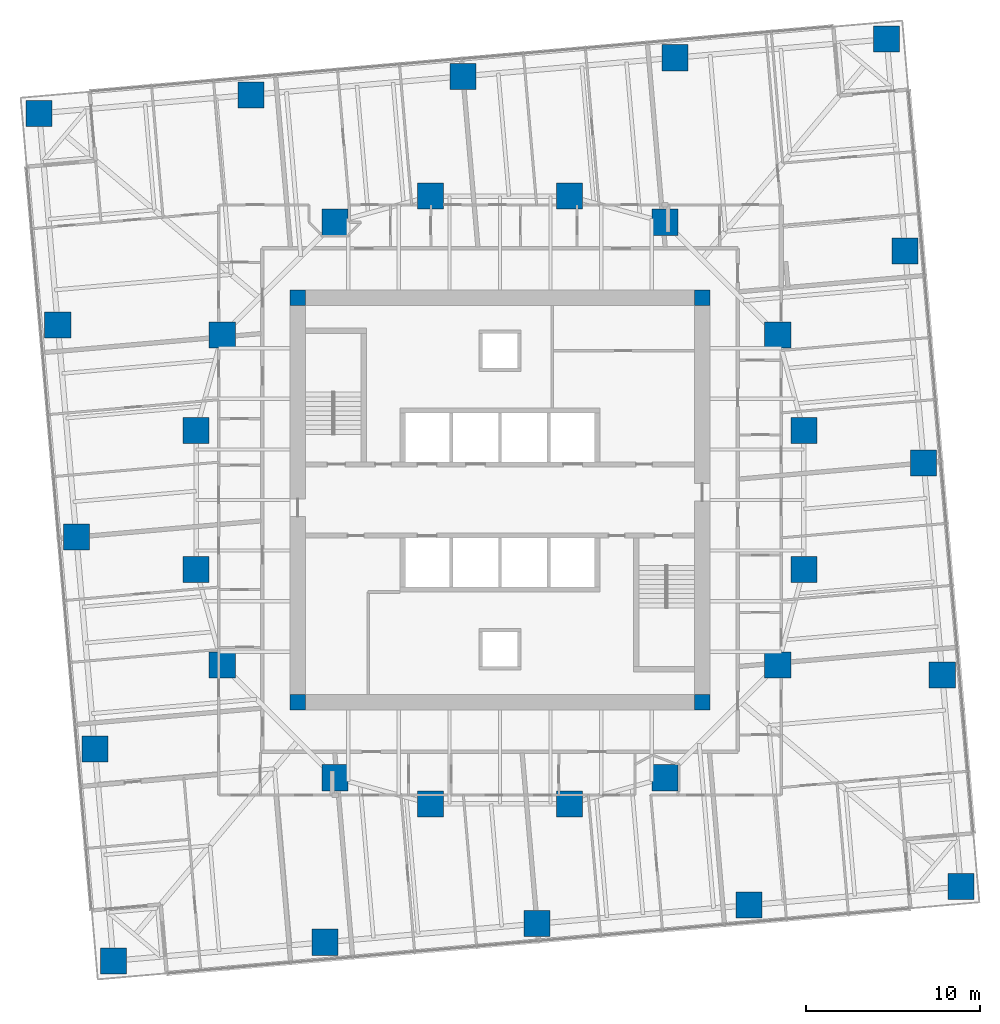
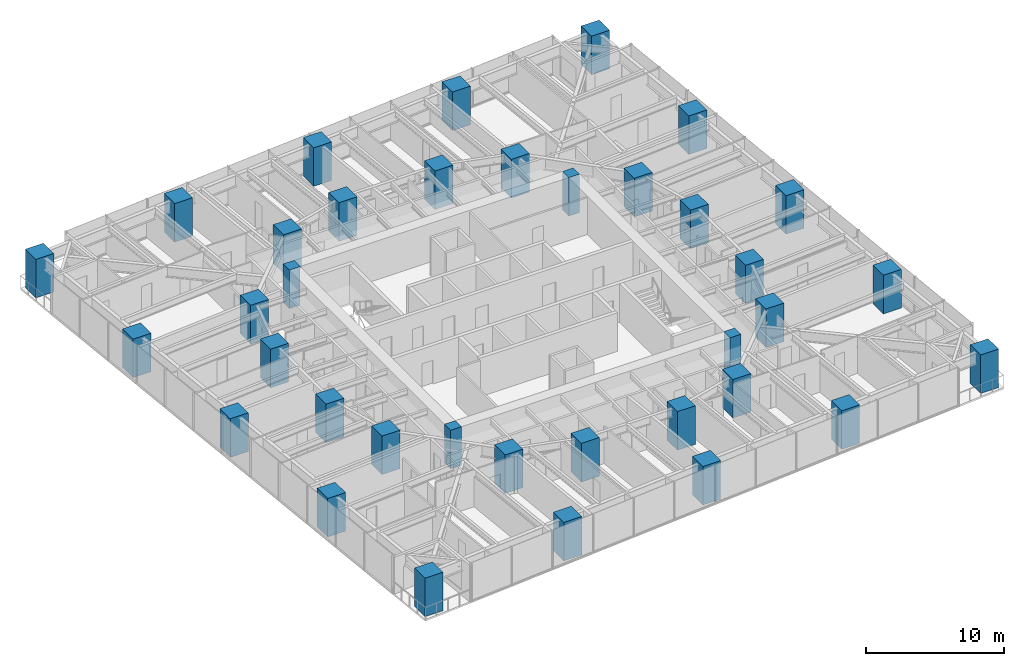
# One storey, part 1 of 14: 36 columns.
"""IFC4 building model written with IfcOpenShell, lengths in metres."""

import ifcopenshell
import ifcopenshell.guid

model = None  # the IFC model being written
_history = None  # IfcOwnerHistory: only IFC2X3 demands one
_inside = {}  # id of a spatial element -> (the spatial element, [elements in it])
_under = {}  # id of a project, library or spatial element -> (it, [spatial elements below it])
_declared = {}  # id of a project -> (the project, [libraries it declares])
_typed = {}  # id of a type object -> (the type object, [elements of that type])
_made_of = {}  # id of a material, layer set ... -> (it, [elements and type objects made of it])


def new_model(schema):
    """Start an empty IFC model of exactly this schema.

    Asked for "IFC4X3", IfcOpenShell would pick the latest addendum, in which some entities
    have other attributes; the version numbers below select the first issue.
    IFC2X3 requires an IfcOwnerHistory on every rooted entity: one is made here for all.
    """
    global model, _history
    if schema == "IFC4X3":
        model = ifcopenshell.file(schema_version=(4, 3, 0, 0))
    else:
        model = ifcopenshell.file(schema=schema)
    _inside.clear()
    _under.clear()
    _declared.clear()
    _typed.clear()
    _made_of.clear()
    _history = None
    if model.schema == "IFC2X3":
        org = make("IfcOrganization", Name="unknown")
        user = make(
            "IfcPersonAndOrganization",
            ThePerson=make("IfcPerson", FamilyName="unknown"),
            TheOrganization=org,
        )
        app = make(
            "IfcApplication",
            ApplicationDeveloper=org,
            Version="unknown",
            ApplicationFullName="unknown",
            ApplicationIdentifier="unknown",
        )
        _history = make(
            "IfcOwnerHistory",
            OwningUser=user,
            OwningApplication=app,
            ChangeAction="ADDED",
            CreationDate=0,
        )
    return model


def make(cls, **values):
    """One entity of the class cls with the attributes given. An attribute that is None is left unset."""
    return model.create_entity(
        cls, **{name: value for name, value in values.items() if value is not None}
    )


def rooted(cls, **values):
    """An entity with a GlobalId (a new one), such as an element, a storey or a relation."""
    return make(cls, GlobalId=ifcopenshell.guid.new(), OwnerHistory=_history, **values)


def si_unit(unit_type, name, prefix=None):
    """IfcSIUnit, for example si_unit("LENGTHUNIT", "METRE", prefix="MILLI")."""
    return make("IfcSIUnit", UnitType=unit_type, Prefix=prefix, Name=name)


def assignment(units):
    """IfcUnitAssignment: the units of a project."""
    return None if units is None else make("IfcUnitAssignment", Units=units)


def point(xyz):
    """IfcCartesianPoint."""
    return None if xyz is None else make("IfcCartesianPoint", Coordinates=xyz)


def direction(xyz):
    """IfcDirection."""
    return None if xyz is None else make("IfcDirection", DirectionRatios=xyz)


def frame(location, z_axis=None, x_axis=None):
    """IfcAxis2Placement3D, a coordinate frame: its origin and axes. An axis left out is left unset."""
    return make(
        "IfcAxis2Placement3D",
        Location=point(location),
        Axis=direction(z_axis),
        RefDirection=direction(x_axis),
    )


def frame_2d(location, x_axis=None):
    """IfcAxis2Placement2D, a coordinate frame in the plane: its origin and x axis."""
    return make(
        "IfcAxis2Placement2D", Location=point(location), RefDirection=direction(x_axis)
    )


def origin():
    """The frame at (0, 0, 0) with its axes left unset."""
    return frame((0.0, 0.0, 0.0))


def origin_2d():
    """The frame at (0, 0) in the plane with its x axis left unset."""
    return frame_2d((0.0, 0.0))


def place(relative_to, where):
    """IfcLocalPlacement: puts the frame where relative to a parent placement (None: the world)."""
    return make(
        "IfcLocalPlacement", PlacementRelTo=relative_to, RelativePlacement=where
    )


def context(
    kind, dimensions, precision=None, world=None, true_north=None, identifier=None
):
    """IfcGeometricRepresentationContext, for example the 3D "Model" context."""
    return make(
        "IfcGeometricRepresentationContext",
        ContextIdentifier=identifier,
        ContextType=kind,
        CoordinateSpaceDimension=dimensions,
        Precision=precision,
        WorldCoordinateSystem=world,
        TrueNorth=true_north,
    )


def subcontext(parent, identifier, kind, view, scale=None):
    """IfcGeometricRepresentationSubContext, for example "Body" below "Model"."""
    return make(
        "IfcGeometricRepresentationSubContext",
        ContextIdentifier=identifier,
        ContextType=kind,
        ParentContext=parent,
        TargetScale=scale,
        TargetView=view,
    )


def project(units=None, contexts=None):
    """IfcProject with its units and contexts."""
    return rooted(
        "IfcProject",
        Name="project",
        RepresentationContexts=contexts,
        UnitsInContext=assignment(units),
    )


def spatial(cls, under=None, at=None, **own):
    """A site, building, storey or space (cls), placed at a placement, below another one or the project."""
    s = rooted(cls, ObjectPlacement=at, **own)
    if under is not None:
        _under.setdefault(under.id(), (under, []))[1].append(s)
    return s


def profile(cls, at=None, kind="AREA", **sizes):
    """A parametric profile (cls). Its sizes go by their IFC names, for example OverallWidth=200.0."""
    return make(cls, ProfileType=kind, Position=at, **sizes)


def rectangle(**sizes):
    """IfcRectangleProfileDef."""
    return profile("IfcRectangleProfileDef", **sizes)


def extrude(swept, where, along, depth):
    """IfcExtrudedAreaSolid: the profile swept, set in the frame where, extruded along a direction by depth."""
    return make(
        "IfcExtrudedAreaSolid",
        SweptArea=swept,
        Position=where,
        ExtrudedDirection=direction(along),
        Depth=depth,
    )


def shape(context_of_items, identifier, shape_type, items):
    """IfcShapeRepresentation: the items that make up one representation, for example the "Body"."""
    return make(
        "IfcShapeRepresentation",
        ContextOfItems=context_of_items,
        RepresentationIdentifier=identifier,
        RepresentationType=shape_type,
        Items=items,
    )


def material(Name=None, Category=None):
    """IfcMaterial."""
    return make("IfcMaterial", Name=Name, Category=Category)


def material_profile(
    of_material, cross_section, Name=None, Category=None, Priority=None
):
    """IfcMaterialProfile: a cross section and its material."""
    return make(
        "IfcMaterialProfile",
        Name=Name,
        Material=of_material,
        Profile=cross_section,
        Priority=Priority,
        Category=Category,
    )


def profile_set(profiles, Name=None, composite=None):
    """IfcMaterialProfileSet."""
    return make(
        "IfcMaterialProfileSet",
        Name=Name,
        MaterialProfiles=profiles,
        CompositeProfile=composite,
    )


def made_of(thing, what):
    """Note that an element or type object is made of a material, layer set ...; save() writes the relation."""
    if what is not None:
        _made_of.setdefault(what.id(), (what, []))[1].append(thing)
    return thing


def type_object(cls, material=None, **own):
    """A type object (cls), such as IfcWallType, which elements share."""
    return made_of(rooted(cls, **own), material)


def element(
    cls,
    number,
    at=None,
    inside=None,
    cuts=None,
    type_object=None,
    material=None,
    context=None,
    identifier="Body",
    shape_type=None,
    held_by="IfcProductDefinitionShape",
    body=None,
    shapes=None,
    **own,
):
    """One element of the class cls, such as IfcWall. Its Tag is "e" and its number.

    at: its placement. inside: the storey or other place that contains it. cuts: it is an
    opening in that element (IfcRelVoidsElement). A single representation is given by context,
    identifier, shape_type and body (its items); several are given by shapes. held_by: the class
    of the entity that holds the representations. save() writes the other relations.
    """
    e = rooted(cls, Tag="e%d" % number, ObjectPlacement=at, **own)
    if body is not None:
        shapes = [shape(context, identifier, shape_type, body)]
    if shapes is not None:
        e.Representation = make(held_by, Representations=shapes)
    if inside is not None:
        _inside.setdefault(inside.id(), (inside, []))[1].append(e)
    if cuts is not None:
        rooted(
            "IfcRelVoidsElement", RelatingBuildingElement=cuts, RelatedOpeningElement=e
        )
    if type_object is not None:
        _typed.setdefault(type_object.id(), (type_object, []))[1].append(e)
    return made_of(e, material)


def aggregate(whole, parts):
    """IfcRelAggregates: a whole, such as a stair, and the parts it consists of."""
    return rooted("IfcRelAggregates", RelatingObject=whole, RelatedObjects=parts)


def save(model, path):
    """Write the relations noted so far, then the file.

    IfcRelAggregates (storeys below a building ...), IfcRelContainedInSpatialStructure (elements
    in a storey), IfcRelDefinesByType, IfcRelAssociatesMaterial and IfcRelDeclares: one each for
    every whole, place, type object, material and project.
    """
    for whole, parts in _under.values():
        aggregate(whole, parts)
    for where, things in _inside.values():
        rooted(
            "IfcRelContainedInSpatialStructure",
            RelatedElements=things,
            RelatingStructure=where,
        )
    for kind, things in _typed.values():
        rooted("IfcRelDefinesByType", RelatedObjects=things, RelatingType=kind)
    for what, things in _made_of.values():
        rooted("IfcRelAssociatesMaterial", RelatedObjects=things, RelatingMaterial=what)
    for by, libraries in _declared.values():
        rooted("IfcRelDeclares", RelatingContext=by, RelatedDefinitions=libraries)
    model.write(path)


model = new_model("IFC4")

# Units and contexts
model_context = context("Model", 3, precision=1e-05, world=origin(), true_north=direction((0.0, 1.0)))
body_context = subcontext(model_context, "Body", "Model", "MODEL_VIEW")
ifc_project = project(units=[si_unit("LENGTHUNIT", "METRE"), si_unit("AREAUNIT", "SQUARE_METRE"), si_unit("VOLUMEUNIT", "CUBIC_METRE"), si_unit("PLANEANGLEUNIT", "RADIAN"), si_unit("MASSUNIT", "GRAM", prefix="KILO")], contexts=[model_context])

# Site, building, storey
site_placement = place(None, origin())
site = spatial("IfcSite", under=ifc_project, at=site_placement, CompositionType="ELEMENT")
building_placement = place(site_placement, origin())
building = spatial("IfcBuilding", under=site, at=building_placement, Name="Torsade Residences", CompositionType="ELEMENT")
storey_placement = place(building_placement, frame((0.0, 0.0, 64.199951171875)))
storey = spatial("IfcBuildingStorey", under=building, at=storey_placement, Name="L17", CompositionType="ELEMENT", Elevation=64.199951171875)

# Columns
ifc_material_1 = material(Name="Concrete 80 MPa", Category="concrete")
ifc_material_profile_1 = material_profile(ifc_material_1, rectangle(XDim=0.89990234375, YDim=0.89990234375, at=origin_2d()), Name="RC 900x900")
ifc_profile_set_1 = profile_set([ifc_material_profile_1], Name="Concrete 80 MPa")
column_type_1 = type_object("IfcColumnType", Name="CORE CORNER COLUMN RC 900x900", PredefinedType="COLUMN", material=ifc_profile_set_1)
for number, where, z_axis, x_axis, name in (
    (1, (28.35009765625, 18.35009765625, 0.0), (0.0, 0.0, 1.0), (1.0, 0.0, 0.0), "Core corner column CC1 L17"),
    (2, (51.64990234375, 18.35009765625, 0.0), (0.0, 0.0, 1.0), (1.0, 0.0, 0.0), "Core corner column CC2 L17"),
    (3, (51.64990234375, 41.64990234375, 0.0), (0.0, 0.0, 1.0), (1.0, 0.0, 0.0), "Core corner column CC3 L17"),
    (4, (28.35009765625, 41.64990234375, 0.0), (0.0, 0.0, 1.0), (1.0, 0.0, 0.0), "Core corner column CC4 L17"),
):
    element("IfcColumn", number, at=place(storey_placement, frame(where, z_axis=z_axis, x_axis=x_axis)), inside=storey, type_object=column_type_1, Name=name, PredefinedType="COLUMN", context=body_context, shape_type="SweptSolid", body=[
        extrude(rectangle(XDim=0.89990234375, YDim=0.89990234375, at=origin_2d()), origin(), (0.0, 0.0, 1.0), 3.400146484375),
    ])
ifc_material_2 = material(Name="Concrete 80 MPa", Category="concrete")
ifc_material_profile_2 = material_profile(ifc_material_2, rectangle(XDim=1.5, YDim=1.5, at=origin_2d()), Name="RC 1500x1500")
ifc_profile_set_2 = profile_set([ifc_material_profile_2], Name="Concrete 80 MPa")
column_type_2 = type_object("IfcColumnType", Name="INNER RING COLUMN RC 1500x1500", PredefinedType="COLUMN", material=ifc_profile_set_2)
for number, where, z_axis, x_axis, name in (
    (5, (57.5, 26.0, 0.0), (0.0, 0.0, 1.0), (1.0, 0.0, 0.0), "Inner ring column IR01 L17"),
    (6, (57.5, 34.0, 0.0), (0.0, 0.0, 1.0), (1.0, 0.0, 0.0), "Inner ring column IR02 L17"),
    (7, (56.0, 39.5, 0.0), (0.0, 0.0, 1.0), (1.0, 0.0, 0.0), "Inner ring column IR03 L17"),
    (8, (49.5, 46.0, 0.0), (0.0, 0.0, 1.0), (1.0, 0.0, 0.0), "Inner ring column IR04 L17"),
    (9, (44.0, 47.5, 0.0), (0.0, 0.0, 1.0), (1.0, 0.0, 0.0), "Inner ring column IR05 L17"),
    (10, (36.0, 47.5, 0.0), (0.0, 0.0, 1.0), (1.0, 0.0, 0.0), "Inner ring column IR06 L17"),
    (11, (30.5, 46.0, 0.0), (0.0, 0.0, 1.0), (1.0, 0.0, 0.0), "Inner ring column IR07 L17"),
    (12, (24.0, 39.5, 0.0), (0.0, 0.0, 1.0), (1.0, 0.0, 0.0), "Inner ring column IR08 L17"),
    (13, (22.5, 34.0, 0.0), (0.0, 0.0, 1.0), (1.0, 0.0, 0.0), "Inner ring column IR09 L17"),
    (14, (22.5, 26.0, 0.0), (0.0, 0.0, 1.0), (1.0, 0.0, 0.0), "Inner ring column IR10 L17"),
    (15, (24.0, 20.5, 0.0), (0.0, 0.0, 1.0), (1.0, 0.0, 0.0), "Inner ring column IR11 L17"),
    (16, (30.5, 14.0, 0.0), (0.0, 0.0, 1.0), (1.0, 0.0, 0.0), "Inner ring column IR12 L17"),
    (17, (36.0, 12.5, 0.0), (0.0, 0.0, 1.0), (1.0, 0.0, 0.0), "Inner ring column IR13 L17"),
    (18, (44.0, 12.5, 0.0), (0.0, 0.0, 1.0), (1.0, 0.0, 0.0), "Inner ring column IR14 L17"),
    (19, (49.5, 14.0, 0.0), (0.0, 0.0, 1.0), (1.0, 0.0, 0.0), "Inner ring column IR15 L17"),
    (20, (56.0, 20.5, 0.0), (0.0, 0.0, 1.0), (1.0, 0.0, 0.0), "Inner ring column IR16 L17"),
):
    element("IfcColumn", number, at=place(storey_placement, frame(where, z_axis=z_axis, x_axis=x_axis)), inside=storey, type_object=column_type_2, Name=name, PredefinedType="COLUMN", context=body_context, shape_type="SweptSolid", body=[
        extrude(rectangle(XDim=1.5, YDim=1.5, at=origin_2d()), origin(), (0.0, 0.0, 1.0), 3.400146484375),
    ])
ifc_material_3 = material(Name="Concrete 80 MPa", Category="concrete")
ifc_material_profile_3 = material_profile(ifc_material_3, rectangle(XDim=1.5, YDim=1.5, at=origin_2d()), Name="RC 1500x1500")
ifc_profile_set_3 = profile_set([ifc_material_profile_3], Name="Concrete 80 MPa")
column_type_3 = type_object("IfcColumnType", Name="TOWER COLUMN RC 1500x1500", PredefinedType="COLUMN", material=ifc_profile_set_3)
for number, where, z_axis, x_axis, name in (
    (21, (17.728515625, 3.4580078125, 0.0), (0.0, 0.0, 1.0), (1.0, 0.0, 0.0), "Column TC2-01 L17"),
    (22, (29.931884765625, 4.525634765625, 0.0), (0.0, 0.0, 1.0), (1.0, 0.0, 0.0), "Column TC2-02 L17"),
    (23, (42.13525390625, 5.59326171875, 0.0), (0.0, 0.0, 1.0), (1.0, 0.0, 0.0), "Column TC2-03 L17"),
    (24, (54.338623046875, 6.660888671875, 0.0), (0.0, 0.0, 1.0), (1.0, 0.0, 0.0), "Column TC2-04 L17"),
    (25, (66.5419921875, 7.728515625, 0.0), (0.0, 0.0, 1.0), (1.0, 0.0, 0.0), "Column TC2-05 L17"),
    (26, (65.474365234375, 19.931884765625, 0.0), (0.0, 0.0, 1.0), (1.0, 0.0, 0.0), "Column TC2-06 L17"),
    (27, (64.40673828125, 32.13525390625, 0.0), (0.0, 0.0, 1.0), (1.0, 0.0, 0.0), "Column TC2-07 L17"),
    (28, (63.339111328125, 44.338623046875, 0.0), (0.0, 0.0, 1.0), (1.0, 0.0, 0.0), "Column TC2-08 L17"),
    (29, (62.271484375, 56.5419921875, 0.0), (0.0, 0.0, 1.0), (1.0, 0.0, 0.0), "Column TC2-09 L17"),
    (30, (50.068115234375, 55.474365234375, 0.0), (0.0, 0.0, 1.0), (1.0, 0.0, 0.0), "Column TC2-10 L17"),
    (31, (37.86474609375, 54.40673828125, 0.0), (0.0, 0.0, 1.0), (1.0, 0.0, 0.0), "Column TC2-11 L17"),
    (32, (25.661376953125, 53.339111328125, 0.0), (0.0, 0.0, 1.0), (1.0, 0.0, 0.0), "Column TC2-12 L17"),
    (33, (13.4580078125, 52.271484375, 0.0), (0.0, 0.0, 1.0), (1.0, 0.0, 0.0), "Column TC2-13 L17"),
    (34, (14.525634765625, 40.068115234375, 0.0), (0.0, 0.0, 1.0), (1.0, 0.0, 0.0), "Column TC2-14 L17"),
    (35, (15.59326171875, 27.86474609375, 0.0), (0.0, 0.0, 1.0), (1.0, 0.0, 0.0), "Column TC2-15 L17"),
    (36, (16.660888671875, 15.661376953125, 0.0), (0.0, 0.0, 1.0), (1.0, 0.0, 0.0), "Column TC2-16 L17"),
):
    element("IfcColumn", number, at=place(storey_placement, frame(where, z_axis=z_axis, x_axis=x_axis)), inside=storey, type_object=column_type_3, Name=name, PredefinedType="COLUMN", context=body_context, shape_type="SweptSolid", body=[
        extrude(rectangle(XDim=1.5, YDim=1.5, at=origin_2d()), origin(), (0.0, 0.0, 1.0), 3.400146484375),
    ])

save(model, "model.ifc")
